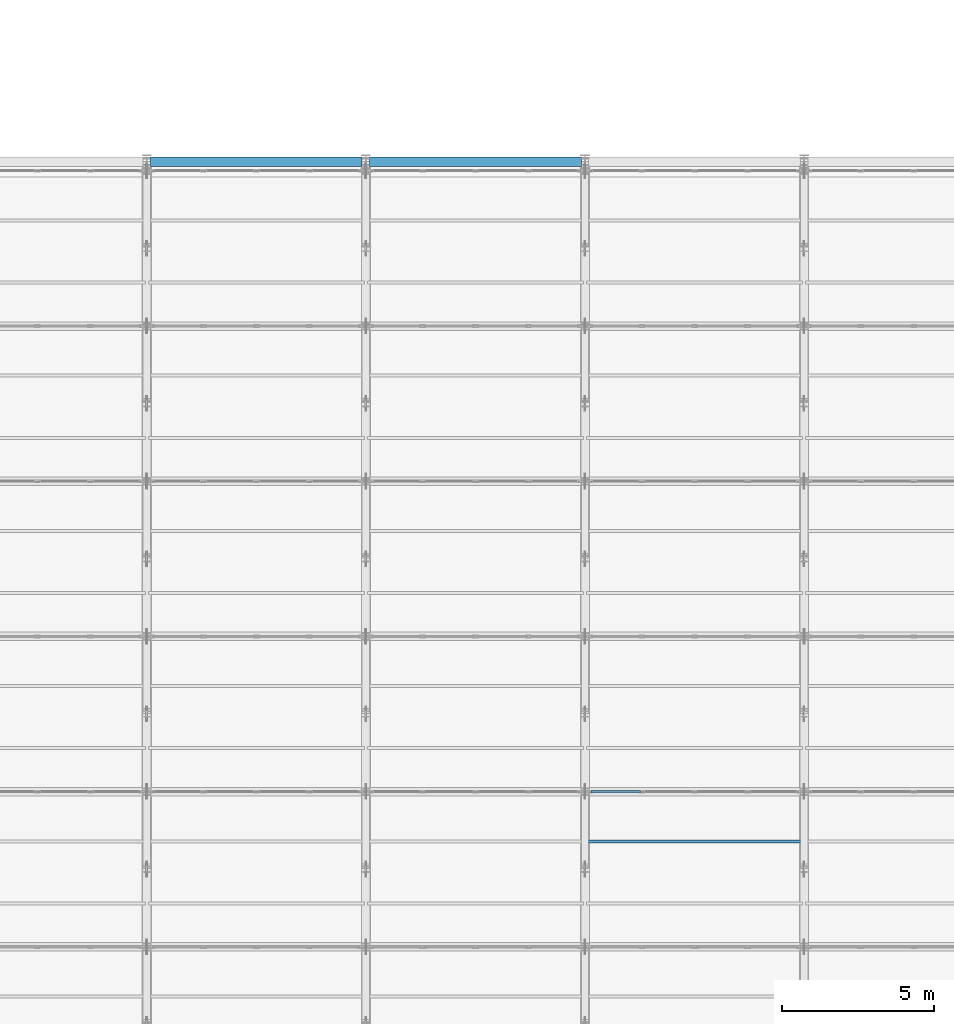
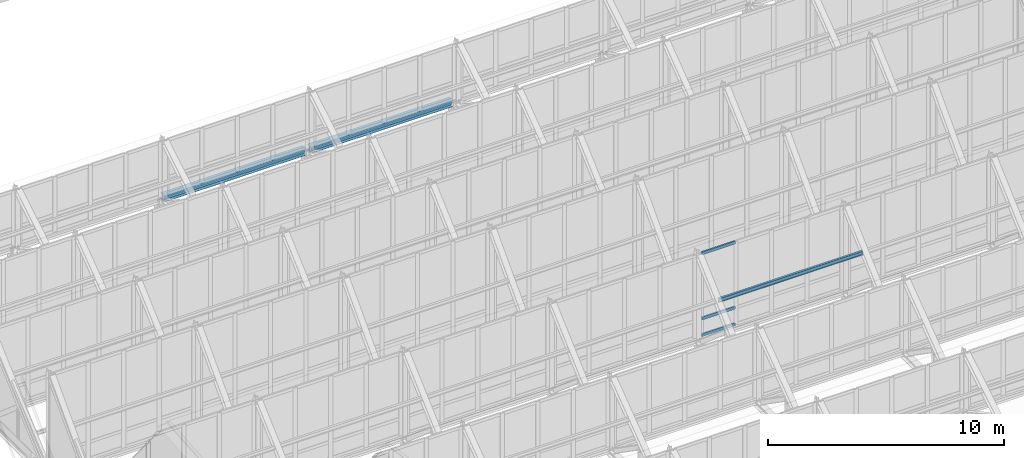
# One storey, part 58 of 157: 4 members, 2 beams, 1 element without a shape of its own.
"""IFC4 building model written with IfcOpenShell, lengths in metres."""

from ifc_helpers import new_model, si_unit, direction, frame, origin, origin_2d, place, context, subcontext, project, spatial, hollow_rectangle, i_section, extrude, material, material_profile, profile_set, type_object, element, aggregate, save


model = new_model("IFC4")

# Units and contexts
model_context = context("Model", 3, precision=1e-05, world=origin(), true_north=direction((0.0, 1.0)))
body_context = subcontext(model_context, "Body", "Model", "MODEL_VIEW")
ifc_project = project(units=[si_unit("LENGTHUNIT", "METRE"), si_unit("AREAUNIT", "SQUARE_METRE"), si_unit("VOLUMEUNIT", "CUBIC_METRE"), si_unit("PLANEANGLEUNIT", "RADIAN"), si_unit("MASSUNIT", "GRAM", prefix="KILO")], contexts=[model_context])

# Site, building, storey
site_placement = place(None, origin())
site = spatial("IfcSite", under=ifc_project, at=site_placement, CompositionType="ELEMENT")
building_placement = place(site_placement, origin())
building = spatial("IfcBuilding", under=site, at=building_placement, Name="Suanplinth Sawtooth Commons", CompositionType="ELEMENT")
storey_placement = place(building_placement, frame((0.0, 0.0, 9.0)))
storey = spatial("IfcBuildingStorey", under=building, at=storey_placement, Name="L02", CompositionType="ELEMENT", Elevation=9.0)

# Beams
ifc_material_1 = material(Name="Steel S355JR", Category="steel")
ifc_material_profile_1 = material_profile(ifc_material_1, i_section(OverallWidth=0.300048828125, OverallDepth=0.330078125, WebThickness=0.009521484375, FlangeThickness=0.0166015625, at=origin_2d()), Name="HEA 340")
ifc_profile_set_1 = profile_set([ifc_material_profile_1], Name="Steel S355JR")
beam_type = type_object("IfcBeamType", Name="B-15", PredefinedType="USERDEFINED", material=ifc_profile_set_1)
for number, where, z_axis, x_axis, name in (
    (1, (79.320068359375, 86.39990234375, 2.655029296875), (1.0, 0.0, 0.0), (0.0, 1.0, 0.0), "Sawtooth North Eave Girder B3"),
    (2, (86.52001953125, 86.39990234375, 2.655029296875), (1.0, 0.0, 0.0), (0.0, 1.0, 0.0), "Sawtooth North Eave Girder B4"),
):
    element("IfcBeam", number, at=place(storey_placement, frame(where, z_axis=z_axis, x_axis=x_axis)), inside=storey, type_object=beam_type, Name=name, ObjectType="GIRDER", PredefinedType="USERDEFINED", context=body_context, shape_type="SweptSolid", body=[
        extrude(i_section(OverallWidth=0.300048828125, OverallDepth=0.330078125, WebThickness=0.009521484375, FlangeThickness=0.0166015625, at=origin_2d()), origin(), (0.0, 0.0, 1.0), 6.9599609375),
    ])

# Member
ifc_material_2 = material(Name="Steel SS400", Category="steel")
ifc_material_profile_2 = material_profile(ifc_material_2, i_section(OverallWidth=0.10009765625, OverallDepth=0.199951171875, WebThickness=0.005615234375, FlangeThickness=0.008544921875, at=origin_2d()), Name="IPE 200")
ifc_profile_set_2 = profile_set([ifc_material_profile_2], Name="Steel SS400")
member_type_1 = type_object("IfcMemberType", Name="M-06", PredefinedType="PURLIN", material=ifc_profile_set_2)
member_1_placement = place(storey_placement, frame((93.64990234375, 64.068115234375, 5.84716796875), z_axis=(1.0, 0.0, 0.0), x_axis=(0.0, 1.0, 0.0)))
element("IfcMember", 3, at=member_1_placement, inside=storey, type_object=member_type_1, Name="Sawtooth Roof Purlin T3-B5-P2", PredefinedType="PURLIN", context=body_context, shape_type="SweptSolid", body=[
    extrude(i_section(OverallWidth=0.10009765625, OverallDepth=0.199951171875, WebThickness=0.005615234375, FlangeThickness=0.008544921875, at=origin_2d()), origin(), (0.0, 0.0, 1.0), 7.10009765625),
])

# Curtain wall, members
ifc_material_3 = material(Name="Anodized aluminium and low-E glazing", Category="aluminium")
curtain_wall_type = type_object("IfcCurtainWallType", Name="CW-03", PredefinedType="USERDEFINED", material=ifc_material_3)
curtain_wall_placement = place(storey_placement, origin())
curtain_wall = element("IfcCurtainWall", 4, at=curtain_wall_placement, inside=storey, type_object=curtain_wall_type, Name="Curtain Wall CW-SAW-T3-B5", ObjectType="CURTAIN WALL", PredefinedType="USERDEFINED")
ifc_material_4 = material(Name="Anodized aluminium 6063-T6", Category="aluminium")
ifc_material_profile_3 = material_profile(ifc_material_4, hollow_rectangle(XDim=0.074951171875, YDim=0.14990234375, WallThickness=0.00439453125, at=origin_2d()), Name="ALU-TRN 75x150")
ifc_profile_set_3 = profile_set([ifc_material_profile_3], Name="Anodized aluminium 6063-T6")
member_type_2 = type_object("IfcMemberType", Name="M-16", PredefinedType="USERDEFINED", material=ifc_profile_set_3)
member_2_placement = place(storey_placement, frame((93.794921875, 65.699951171875, 3.017578125), z_axis=(1.0, 0.0, 0.0), x_axis=(0.0, 1.0, 0.0)))
member_2 = element("IfcMember", 5, at=member_2_placement, type_object=member_type_2, Name="CW-03 transom 1.1", ObjectType="TRANSOM", PredefinedType="USERDEFINED", context=body_context, shape_type="SweptSolid", body=[
    extrude(hollow_rectangle(XDim=0.074951171875, YDim=0.14990234375, WallThickness=0.00439453125, at=origin_2d()), origin(), (0.0, 0.0, 1.0), 1.627685546875),
])
member_3_placement = place(storey_placement, frame((93.794921875, 65.699951171875, 3.8798828125), z_axis=(1.0, 0.0, 0.0), x_axis=(0.0, 1.0, 0.0)))
member_3 = element("IfcMember", 6, at=member_3_placement, type_object=member_type_2, Name="CW-03 transom 1.2", ObjectType="TRANSOM", PredefinedType="USERDEFINED", context=body_context, shape_type="SweptSolid", body=[
    extrude(hollow_rectangle(XDim=0.074951171875, YDim=0.14990234375, WallThickness=0.00439453125, at=origin_2d()), origin(), (0.0, 0.0, 1.0), 1.627685546875),
])
member_4_placement = place(storey_placement, frame((93.794921875, 65.699951171875, 7.25244140625), z_axis=(1.0, 0.0, 0.0), x_axis=(0.0, 1.0, 0.0)))
member_4 = element("IfcMember", 7, at=member_4_placement, type_object=member_type_2, Name="CW-03 transom 1.3", ObjectType="TRANSOM", PredefinedType="USERDEFINED", context=body_context, shape_type="SweptSolid", body=[
    extrude(hollow_rectangle(XDim=0.074951171875, YDim=0.14990234375, WallThickness=0.00439453125, at=origin_2d()), origin(), (0.0, 0.0, 1.0), 1.627685546875),
])
aggregate(curtain_wall, [member_2, member_3, member_4])

save(model, "model.ifc")
